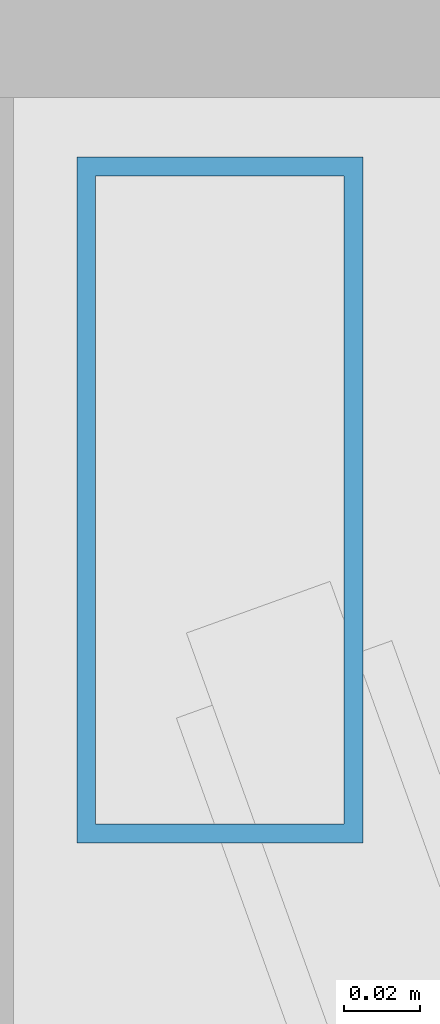
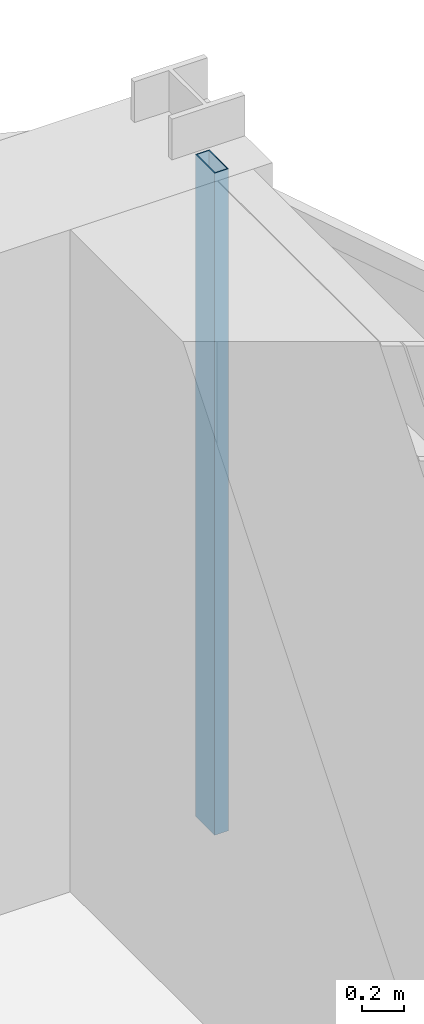
# One storey, part 17 of 25: 1 member, 1 element without a shape of its own.
"""IFC4 building model written with IfcOpenShell, lengths in metres."""

from ifc_helpers import new_model, si_unit, direction, frame, origin, origin_2d, place, context, subcontext, project, spatial, hollow_rectangle, extrude, material, layer, layer_set, material_profile, profile_set, type_object, element, aggregate, save


model = new_model("IFC4")

# Units and contexts
model_context = context("Model", 3, precision=1e-05, world=origin(), true_north=direction((0.0, 1.0)))
body_context = subcontext(model_context, "Body", "Model", "MODEL_VIEW")
ifc_project = project(units=[si_unit("LENGTHUNIT", "METRE"), si_unit("AREAUNIT", "SQUARE_METRE"), si_unit("VOLUMEUNIT", "CUBIC_METRE"), si_unit("PLANEANGLEUNIT", "RADIAN"), si_unit("MASSUNIT", "GRAM", prefix="KILO")], contexts=[model_context])

# Site, building, storey
site_placement = place(None, origin())
site = spatial("IfcSite", under=ifc_project, at=site_placement, CompositionType="ELEMENT")
building_placement = place(site_placement, origin())
building = spatial("IfcBuilding", under=site, at=building_placement, Name="Veymaron Broadcast Tower", CompositionType="ELEMENT")
storey_placement = place(building_placement, frame((0.0, 0.0, 173.550048828125)))
storey = spatial("IfcBuildingStorey", under=building, at=storey_placement, Name="L40", CompositionType="ELEMENT", Elevation=173.550048828125)

# Curtain wall, member
ifc_material_1 = material(Name="Anodised aluminium AA 6063-T6 and laminated low-E dark glass", Category="aluminium")
ifc_layer = layer(ifc_material_1, 0.179931640625)
ifc_layer_set = layer_set([ifc_layer], Name="Anodised aluminium AA 6063-T6 and laminated low-E dark glass")
curtain_wall_type = type_object("IfcCurtainWallType", Name="CW-SYS-03", PredefinedType="NOTDEFINED", material=ifc_layer_set)
curtain_wall_placement = place(storey_placement, origin())
curtain_wall = element("IfcCurtainWall", 1, at=curtain_wall_placement, inside=storey, type_object=curtain_wall_type, Name="L40 dark-glass curtain wall CW-L40-E3-1", PredefinedType="NOTDEFINED")
ifc_material_2 = material(Name="Anodised aluminium AA 6063-T6", Category="aluminium")
ifc_material_profile = material_profile(ifc_material_2, hollow_rectangle(XDim=0.074951171875, YDim=0.179931640625, WallThickness=0.0048828125, at=origin_2d()), Name="AL180X75X5")
ifc_profile_set = profile_set([ifc_material_profile], Name="Anodised aluminium AA 6063-T6")
member_type = type_object("IfcMemberType", Name="CW-MUL-02", PredefinedType="MULLION", material=ifc_profile_set)
member_placement = place(storey_placement, frame((54.558837890625, 31.700927734375, 0.0), z_axis=(0.0, 0.0, 1.0), x_axis=(1.0, 0.0, 0.0)))
member = element("IfcMember", 2, at=member_placement, type_object=member_type, Name="CW-L40-E3-1 mullion 2", PredefinedType="MULLION", context=body_context, shape_type="SweptSolid", body=[
    extrude(hollow_rectangle(XDim=0.074951171875, YDim=0.179931640625, WallThickness=0.0048828125, at=origin_2d()), origin(), (0.0, 0.0, 1.0), 3.81005859375),
])
aggregate(curtain_wall, [member])

save(model, "model.ifc")
